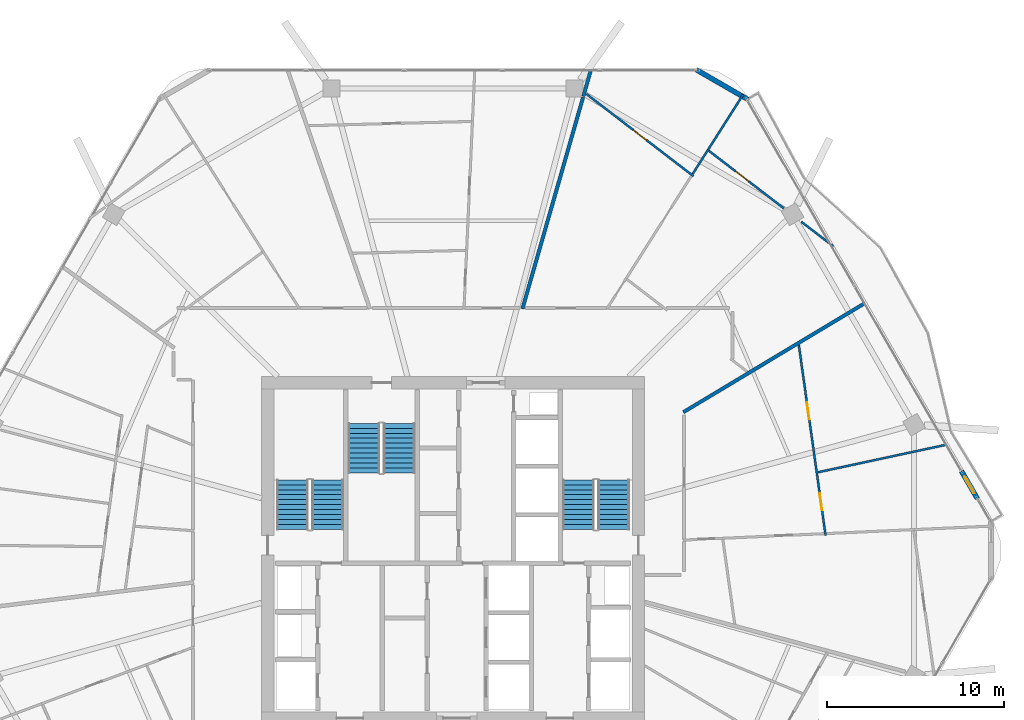
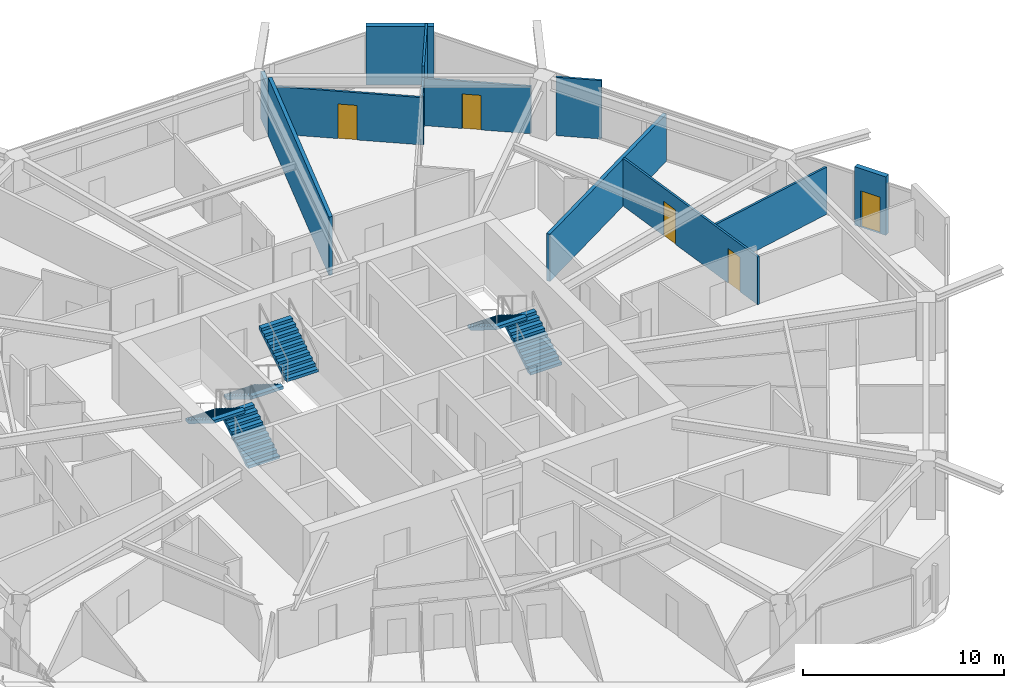
# One storey, part 23 of 26: 12 walls, 6 stair flights, 5 doors, 5 openings, 3 elements without a shape of their own.
"""IFC4 building model written with IfcOpenShell, lengths in metres."""

from ifc_helpers import new_model, si_unit, direction, frame, frame_2d, origin, place, context, subcontext, project, spatial, polyline, rectangle, outline, extrude, material, layer, layer_set, type_object, element, fill, aggregate, save


model = new_model("IFC4")

# Units and contexts
model_context = context("Model", 3, precision=1e-05, world=origin(), true_north=direction((0.0, 1.0)))
body_context = subcontext(model_context, "Body", "Model", "MODEL_VIEW")
ifc_project = project(units=[si_unit("LENGTHUNIT", "METRE"), si_unit("AREAUNIT", "SQUARE_METRE"), si_unit("VOLUMEUNIT", "CUBIC_METRE"), si_unit("PLANEANGLEUNIT", "RADIAN"), si_unit("MASSUNIT", "GRAM", prefix="KILO")], contexts=[model_context])

# Site, building, storey
site_placement = place(None, origin())
site = spatial("IfcSite", under=ifc_project, at=site_placement, CompositionType="ELEMENT")
building_placement = place(site_placement, origin())
building = spatial("IfcBuilding", under=site, at=building_placement, Name="Zuhravey Tower", CompositionType="ELEMENT")
storey_placement = place(building_placement, frame((0.0, 0.0, 203.60009765625)))
storey = spatial("IfcBuildingStorey", under=building, at=storey_placement, Name="L51", CompositionType="ELEMENT", Elevation=203.60009765625)

# Wall
ifc_material_1 = material(Name="Precast concrete C40/50", Category="concrete")
ifc_layer_1 = layer(ifc_material_1, 0.280029296875)
ifc_layer_set_1 = layer_set([ifc_layer_1], Name="Precast concrete C40/50")
wall_type_1 = type_object("IfcWallType", Name="Crown Architectural Wall 280", PredefinedType="SOLIDWALL", material=ifc_layer_set_1)
wall_1_placement = place(storey_placement, frame((49.77880859375, 59.230712890625, 0.0), z_axis=(0.0, 0.0, 1.0), x_axis=(0.866020068361, -0.500009241111, 0.0)))
element("IfcWall", 1, at=wall_1_placement, inside=storey, type_object=wall_type_1, Name="L51 Rounded Corner Closure Wall EW28-10", PredefinedType="SOLIDWALL", context=body_context, shape_type="SweptSolid", body=[
    extrude(rectangle(XDim=3.365234375, YDim=0.280029296875, at=frame_2d((1.6826171875, 0.0))), origin(), (0.0, 0.0, 1.0), 3.5498046875),
])

# Wall, opening, door
wall_2_placement = place(storey_placement, frame((64.7919921875, 36.497314453125, 0.0), z_axis=(0.0, 0.0, 1.0), x_axis=(0.499982180423, -0.866035691677, 0.0)))
wall_2 = element("IfcWall", 2, at=wall_2_placement, inside=storey, type_object=wall_type_1, Name="L51 Face 1 Facade Pier EW28-1", PredefinedType="SOLIDWALL", context=body_context, shape_type="SweptSolid", body=[
    extrude(rectangle(XDim=1.7900390625, YDim=0.280029296875, at=frame_2d((0.89501953125, 0.0))), origin(), (0.0, 0.0, 1.0), 3.5498046875),
])
opening_1_placement = place(wall_2_placement, frame((0.344970703125, 0.0, 0.0)))
opening_1 = element("IfcOpeningElement", 3, at=opening_1_placement, cuts=wall_2, Name="Opening BLD1", PredefinedType="OPENING", context=body_context, shape_type="SweptSolid", body=[
    extrude(rectangle(XDim=1.10009765625, YDim=2.199951171875, at=frame_2d((0.550048828125, 1.10009765625))), frame((0.0, 0.152099609375, 0.0), z_axis=(0.0, -1.0, 0.0), x_axis=(1.0, 0.0, 0.0)), (0.0, 0.0, 1.0), 0.303955078125),
])
ifc_material_2 = material(Name="Thermally broken aluminium and low-E glass", Category="aluminium")
door_type_1 = type_object("IfcDoorType", Name="Balcony & Sky-Tray Glazed Door 1100x2200", OperationType="NOTDEFINED", PredefinedType="DOOR", material=ifc_material_2)
door_1_placement = place(opening_1_placement, frame((1.10009765625, 0.0, 0.0), z_axis=(0.0, 0.0, 1.0), x_axis=(-1.0, 0.0, 0.0)))
door_1 = element("IfcDoor", 4, at=door_1_placement, inside=storey, type_object=door_type_1, Name="L51 Face 1 Wave Balcony Door", OperationType="SINGLE_SWING_RIGHT", OverallHeight=2.199951171875, OverallWidth=1.10009765625, PredefinedType="DOOR", context=body_context, shape_type="SweptSolid", body=[
    extrude(rectangle(XDim=1.10009765625, YDim=2.199951171875, at=frame_2d((0.550048828125, 1.10009765625))), frame((0.0, 0.02490234375, 0.0), z_axis=(0.0, -1.0, 0.0), x_axis=(1.0, 0.0, 0.0)), (0.0, 0.0, 1.0), 0.050048828125),
])
fill(opening_1, door_1)

# Walls
ifc_material_3 = material(Name="Gypsum double-stud party assembly")
ifc_layer_2 = layer(ifc_material_3, 0.199951171875)
ifc_layer_set_2 = layer_set([ifc_layer_2], Name="Gypsum double-stud party assembly")
wall_type_2 = type_object("IfcWallType", Name="Inter-Tenancy Party Wall 200", PredefinedType="PARTITIONING", material=ifc_layer_set_2)
wall_3_placement = place(storey_placement, frame((49.0400390625, 39.835205078125, 0.0), z_axis=(0.0, 0.0, 1.0), x_axis=(0.857165332012, 0.515041351346, 0.0)))
element("IfcWall", 5, at=wall_3_placement, inside=storey, type_object=wall_type_2, Name="L51 IW20 Partition 065", PredefinedType="PARTITIONING", context=body_context, shape_type="SweptSolid", body=[
    extrude(rectangle(XDim=11.974365234375, YDim=0.199951171875, at=frame_2d((5.9873046875, 0.0))), origin(), (0.0, 0.0, 1.0), 2.869873046875),
])
wall_4_placement = place(storey_placement, frame((39.925537109375, 45.68994140625, 0.0), z_axis=(0.0, 0.0, 1.0), x_axis=(0.275636294404, 0.961262000293, 0.0)))
element("IfcWall", 6, at=wall_4_placement, inside=storey, type_object=wall_type_2, Name="L51 IW20 Partition 071", PredefinedType="PARTITIONING", context=body_context, shape_type="SweptSolid", body=[
    extrude(rectangle(XDim=12.47119140625, YDim=0.199951171875, at=frame_2d((6.235595703125, 0.0))), origin(), (0.0, 0.0, 1.0), 3.5498046875),
])
wall_5_placement = place(storey_placement, frame((43.376953125, 57.726806640625, 0.0), z_axis=(0.0, 0.0, 1.0), x_axis=(0.275721302425, 0.961237620669, 0.0)))
element("IfcWall", 7, at=wall_5_placement, inside=storey, type_object=wall_type_2, Name="L51 IW20 Partition 072", PredefinedType="PARTITIONING", context=body_context, shape_type="SweptSolid", body=[
    extrude(rectangle(XDim=1.51513671875, YDim=0.199951171875, at=frame_2d((0.757568359375, 0.0))), origin(), (0.0, 0.0, 1.0), 2.869873046875),
])

# Wall, opening, door
ifc_material_4 = material(Name="Gypsum metal-stud partition")
ifc_layer_3 = layer(ifc_material_4, 0.1201171875)
ifc_layer_set_3 = layer_set([ifc_layer_3], Name="Gypsum metal-stud partition")
wall_type_3 = type_object("IfcWallType", Name="Unit Internal Partition 120", PredefinedType="PARTITIONING", material=ifc_layer_set_3)
wall_6_placement = place(storey_placement, frame((49.608642578125, 53.207763671875, 0.0), z_axis=(0.0, 0.0, 1.0), x_axis=(-0.793348849006, 0.608767282121, 0.0)))
wall_6 = element("IfcWall", 8, at=wall_6_placement, inside=storey, type_object=wall_type_3, Name="L51 IW12 Partition 019", PredefinedType="PARTITIONING", context=body_context, shape_type="SweptSolid", body=[
    extrude(rectangle(XDim=7.6318359375, YDim=0.1201171875, at=frame_2d((3.81591796875, 0.0))), origin(), (0.0, 0.0, 1.0), 2.869873046875),
])
opening_2_placement = place(wall_6_placement, frame((3.3408203125, 0.0, 0.0)))
opening_2 = element("IfcOpeningElement", 9, at=opening_2_placement, cuts=wall_6, Name="Opening IND1", PredefinedType="OPENING", context=body_context, shape_type="SweptSolid", body=[
    extrude(rectangle(XDim=0.949951171875, YDim=2.10009765625, at=frame_2d((0.47509765625, 1.050048828125))), frame((0.0, 0.072021484375, 0.0), z_axis=(0.0, -1.0, 0.0), x_axis=(1.0, 0.0, 0.0)), (0.0, 0.0, 1.0), 0.14404296875),
])
ifc_material_5 = material(Name="Painted engineered timber leaf", Category="wood")
door_type_2 = type_object("IfcDoorType", Name="Internal Room & Bedroom Door 950x2100", OperationType="NOTDEFINED", PredefinedType="DOOR", material=ifc_material_5)
door_2_placement = place(opening_2_placement, frame((0.949951171875, 0.0, 0.0), z_axis=(0.0, 0.0, 1.0), x_axis=(-1.0, 0.0, 0.0)))
door_2 = element("IfcDoor", 10, at=door_2_placement, inside=storey, type_object=door_type_2, Name="Apartment L51-01 Family Study Door", OperationType="SINGLE_SWING_LEFT", OverallHeight=2.10009765625, OverallWidth=0.949951171875, PredefinedType="DOOR", context=body_context, shape_type="SweptSolid", body=[
    extrude(rectangle(XDim=0.949951171875, YDim=2.10009765625, at=frame_2d((0.47509765625, 1.050048828125))), frame((0.0, 0.02490234375, 0.0), z_axis=(0.0, -1.0, 0.0), x_axis=(1.0, 0.0, 0.0)), (0.0, 0.0, 1.0), 0.050048828125),
])
fill(opening_2, door_2)

# Wall
wall_7_placement = place(storey_placement, frame((49.565673828125, 53.326416015625, 0.0), z_axis=(0.0, 0.0, 1.0), x_axis=(0.53659490955, 0.843839974785, 0.0)))
element("IfcWall", 11, at=wall_7_placement, inside=storey, type_object=wall_type_3, Name="L51 IW12 Partition 022", PredefinedType="PARTITIONING", context=body_context, shape_type="SweptSolid", body=[
    extrude(rectangle(XDim=1.6328125, YDim=0.1201171875, at=frame_2d((0.81640625, 0.0))), origin(), (0.0, 0.0, 1.0), 2.869873046875),
])

# Wall, opening, door
wall_8_placement = place(storey_placement, frame((54.73046875, 51.38232421875, 0.0), z_axis=(0.0, 0.0, 1.0), x_axis=(-0.793330324721, 0.60879142231, 0.0)))
wall_8 = element("IfcWall", 12, at=wall_8_placement, inside=storey, type_object=wall_type_3, Name="L51 IW12 Partition 023", PredefinedType="PARTITIONING", context=body_context, shape_type="SweptSolid", body=[
    extrude(rectangle(XDim=5.35400390625, YDim=0.1201171875, at=frame_2d((2.677001953125, 0.0))), origin(), (0.0, 0.0, 1.0), 2.869873046875),
])
opening_3_placement = place(wall_8_placement, frame((2.50634765625, 0.0, 0.0)))
opening_3 = element("IfcOpeningElement", 13, at=opening_3_placement, cuts=wall_8, Name="Opening IND1", PredefinedType="OPENING", context=body_context, shape_type="SweptSolid", body=[
    extrude(rectangle(XDim=0.949951171875, YDim=2.10009765625, at=frame_2d((0.47509765625, 1.050048828125))), frame((0.0, 0.072021484375, 0.0), z_axis=(0.0, -1.0, 0.0), x_axis=(1.0, 0.0, 0.0)), (0.0, 0.0, 1.0), 0.14404296875),
])
door_3_placement = place(opening_3_placement, frame((0.949951171875, 0.0, 0.0), z_axis=(0.0, 0.0, 1.0), x_axis=(-1.0, 0.0, 0.0)))
door_3 = element("IfcDoor", 14, at=door_3_placement, inside=storey, type_object=door_type_2, Name="Apartment L51-01 Bedroom 1 Door", OperationType="SINGLE_SWING_RIGHT", OverallHeight=2.10009765625, OverallWidth=0.949951171875, PredefinedType="DOOR", context=body_context, shape_type="SweptSolid", body=[
    extrude(rectangle(XDim=0.949951171875, YDim=2.10009765625, at=frame_2d((0.47509765625, 1.050048828125))), frame((0.0, 0.02490234375, 0.0), z_axis=(0.0, -1.0, 0.0), x_axis=(1.0, 0.0, 0.0)), (0.0, 0.0, 1.0), 0.050048828125),
])
fill(opening_3, door_3)

# Wall, openings, doors
wall_9_placement = place(storey_placement, frame((57.095458984375, 32.85791015625, 0.0), z_axis=(0.0, 0.0, 1.0), x_axis=(-0.13917519047, 0.990267775078, 0.0)))
wall_9 = element("IfcWall", 15, at=wall_9_placement, inside=storey, type_object=wall_type_3, Name="L51 IW12 Partition 051", PredefinedType="PARTITIONING", context=body_context, shape_type="SweptSolid", body=[
    extrude(rectangle(XDim=10.89697265625, YDim=0.1201171875, at=frame_2d((5.448486328125, 0.0))), origin(), (0.0, 0.0, 1.0), 2.89990234375),
])
opening_4_placement = place(wall_9_placement, frame((1.443115234375, 0.0, 0.0)))
opening_4 = element("IfcOpeningElement", 16, at=opening_4_placement, cuts=wall_9, Name="Opening IND1", PredefinedType="OPENING", context=body_context, shape_type="SweptSolid", body=[
    extrude(rectangle(XDim=0.949951171875, YDim=2.10009765625, at=frame_2d((0.47509765625, 1.050048828125))), frame((0.0, 0.072021484375, 0.0), z_axis=(0.0, -1.0, 0.0), x_axis=(1.0, 0.0, 0.0)), (0.0, 0.0, 1.0), 0.14404296875),
])
opening_5_placement = place(wall_9_placement, frame((6.6513671875, 0.0, 0.0)))
opening_5 = element("IfcOpeningElement", 17, at=opening_5_placement, cuts=wall_9, Name="Opening IND1", PredefinedType="OPENING", context=body_context, shape_type="SweptSolid", body=[
    extrude(rectangle(XDim=0.949951171875, YDim=2.10009765625, at=frame_2d((0.47509765625, 1.050048828125))), frame((0.0, 0.072021484375, 0.0), z_axis=(0.0, -1.0, 0.0), x_axis=(1.0, 0.0, 0.0)), (0.0, 0.0, 1.0), 0.14404296875),
])
door_4_placement = place(opening_4_placement, frame((0.949951171875, 0.0, 0.0), z_axis=(0.0, 0.0, 1.0), x_axis=(-1.0, 0.0, 0.0)))
door_4 = element("IfcDoor", 18, at=door_4_placement, inside=storey, type_object=door_type_2, Name="Apartment L51-09 Family Study Door", OperationType="SINGLE_SWING_LEFT", OverallHeight=2.10009765625, OverallWidth=0.949951171875, PredefinedType="DOOR", context=body_context, shape_type="SweptSolid", body=[
    extrude(rectangle(XDim=0.949951171875, YDim=2.10009765625, at=frame_2d((0.47509765625, 1.050048828125))), frame((0.0, 0.02490234375, 0.0), z_axis=(0.0, -1.0, 0.0), x_axis=(1.0, 0.0, 0.0)), (0.0, 0.0, 1.0), 0.050048828125),
])
fill(opening_4, door_4)
door_5_placement = place(opening_5_placement, frame((0.949951171875, 0.0, 0.0), z_axis=(0.0, 0.0, 1.0), x_axis=(-1.0, 0.0, 0.0)))
door_5 = element("IfcDoor", 19, at=door_5_placement, inside=storey, type_object=door_type_2, Name="Apartment L51-09 Dining Room Door", OperationType="SINGLE_SWING_RIGHT", OverallHeight=2.10009765625, OverallWidth=0.949951171875, PredefinedType="DOOR", context=body_context, shape_type="SweptSolid", body=[
    extrude(rectangle(XDim=0.949951171875, YDim=2.10009765625, at=frame_2d((0.47509765625, 1.050048828125))), frame((0.0, 0.02490234375, 0.0), z_axis=(0.0, -1.0, 0.0), x_axis=(1.0, 0.0, 0.0)), (0.0, 0.0, 1.0), 0.050048828125),
])
fill(opening_5, door_5)

# Walls
wall_10_placement = place(storey_placement, frame((50.44189453125, 54.704345703125, 0.0), z_axis=(0.0, 0.0, 1.0), x_axis=(0.536696164754, 0.84377557842, 0.0)))
element("IfcWall", 20, at=wall_10_placement, inside=storey, type_object=wall_type_3, Name="L51 IW12 Partition 067", PredefinedType="PARTITIONING", context=body_context, shape_type="SweptSolid", body=[
    extrude(rectangle(XDim=3.7001953125, YDim=0.1201171875, at=frame_2d((1.85009765625, 0.0))), origin(), (0.0, 0.0, 1.0), 3.5498046875),
])
wall_11_placement = place(storey_placement, frame((57.531005859375, 49.2333984375, 0.0), z_axis=(0.0, 0.0, 1.0), x_axis=(-0.793327349117, 0.608795299869, 0.0)))
element("IfcWall", 21, at=wall_11_placement, inside=storey, type_object=wall_type_3, Name="L51 IW12 Partition 070", PredefinedType="PARTITIONING", context=body_context, shape_type="SweptSolid", body=[
    extrude(rectangle(XDim=2.2822265625, YDim=0.1201171875, at=frame_2d((1.14111328125, 0.0))), origin(), (0.0, 0.0, 1.0), 3.5498046875),
])
wall_12_placement = place(storey_placement, frame((56.661865234375, 36.432373046875, 0.0), z_axis=(0.0, 0.0, 1.0), x_axis=(0.977753085035, 0.209759158811, 0.0)))
element("IfcWall", 22, at=wall_12_placement, inside=storey, type_object=wall_type_3, Name="L51 IW12 Partition 115", PredefinedType="PARTITIONING", context=body_context, shape_type="SweptSolid", body=[
    extrude(rectangle(XDim=7.464111328125, YDim=0.1201171875, at=frame_2d((3.73193359375, 0.0))), origin(), (0.0, 0.0, 1.0), 2.869873046875),
])

# Stair, stair flights
ifc_material_6 = material(Name="Concrete C40/50", Category="concrete")
stair_type = type_object("IfcStairType", Name="Housing Storey Stair Assembly 3800", PredefinedType="HALF_TURN_STAIR", material=ifc_material_6)
stair_1_placement = place(storey_placement, origin())
stair_1 = element("IfcStair", 23, at=stair_1_placement, inside=storey, type_object=stair_type, Name="L51 Core Exit Stair ST1", PredefinedType="HALF_TURN_STAIR")
stair_flight_type = type_object("IfcStairFlightType", Name="Housing Storey Stair Flight 3800", PredefinedType="STRAIGHT", material=ifc_material_6)
stair_flight_1_placement = place(storey_placement, frame((28.89990234375, 33.199951171875, 0.0), z_axis=(0.0, 0.0, 1.0), x_axis=(0.0, 1.0, 0.0)))
stair_flight_1 = element("IfcStairFlight", 24, at=stair_flight_1_placement, type_object=stair_flight_type, Name="ST1 flight 1", NumberOfRisers=11, NumberOfTreads=10, PredefinedType="STRAIGHT", RiserHeight=0.172727273, TreadLength=0.28, context=body_context, shape_type="SweptSolid", body=[
    extrude(outline(polyline([(0.0, 0.0), (0.0, 0.172607421875), (0.280029296875, 0.172607421875), (0.280029296875, 0.345458984375), (0.56005859375, 0.345458984375), (0.56005859375, 0.51806640625), (0.840087890625, 0.51806640625), (0.840087890625, 0.69091796875), (1.1201171875, 0.69091796875), (1.1201171875, 0.863525390625), (1.39990234375, 0.863525390625), (1.39990234375, 1.036376953125), (1.679931640625, 1.036376953125), (1.679931640625, 1.208984375), (1.9599609375, 1.208984375), (1.9599609375, 1.3818359375), (2.239990234375, 1.3818359375), (2.239990234375, 1.554443359375), (2.52001953125, 1.554443359375), (2.52001953125, 1.727294921875), (2.800048828125, 1.727294921875), (2.800048828125, 1.89990234375), (2.800048828125, 1.551025390625), (0.285400390625, 0.0), (0.0, 0.0)])), frame((0.0, 0.89990234375, 0.0), z_axis=(0.0, -1.0, 0.0), x_axis=(1.0, 0.0, 0.0)), (0.0, 0.0, 1.0), 1.800048828125),
])
stair_flight_2_placement = place(storey_placement, frame((26.89990234375, 36.0, 1.89990234375), z_axis=(0.0, 0.0, 1.0), x_axis=(0.0, -1.0, 0.0)))
stair_flight_2 = element("IfcStairFlight", 25, at=stair_flight_2_placement, type_object=stair_flight_type, Name="ST1 flight 2", NumberOfRisers=11, NumberOfTreads=10, PredefinedType="STRAIGHT", RiserHeight=0.172727273, TreadLength=0.28, context=body_context, shape_type="SweptSolid", body=[
    extrude(outline(polyline([(0.0, 0.0), (0.0, 0.172607421875), (0.280029296875, 0.172607421875), (0.280029296875, 0.345458984375), (0.56005859375, 0.345458984375), (0.56005859375, 0.51806640625), (0.840087890625, 0.51806640625), (0.840087890625, 0.69091796875), (1.1201171875, 0.69091796875), (1.1201171875, 0.863525390625), (1.39990234375, 0.863525390625), (1.39990234375, 1.036376953125), (1.679931640625, 1.036376953125), (1.679931640625, 1.208984375), (1.9599609375, 1.208984375), (1.9599609375, 1.3818359375), (2.239990234375, 1.3818359375), (2.239990234375, 1.554443359375), (2.52001953125, 1.554443359375), (2.52001953125, 1.727294921875), (2.800048828125, 1.727294921875), (2.800048828125, 1.89990234375), (2.800048828125, 1.551025390625), (0.285400390625, 0.0), (0.0, 0.0)])), frame((0.0, 0.89990234375, 0.0), z_axis=(0.0, -1.0, 0.0), x_axis=(1.0, 0.0, 0.0)), (0.0, 0.0, 1.0), 1.800048828125),
])
aggregate(stair_1, [stair_flight_1, stair_flight_2])

stair_2_placement = place(storey_placement, origin())
stair_2 = element("IfcStair", 26, at=stair_2_placement, inside=storey, type_object=stair_type, Name="L51 Core Exit Stair ST2", PredefinedType="HALF_TURN_STAIR")
stair_flight_3_placement = place(storey_placement, frame((45.10009765625, 33.199951171875, 0.0), z_axis=(0.0, 0.0, 1.0), x_axis=(0.0, 1.0, 0.0)))
stair_flight_3 = element("IfcStairFlight", 27, at=stair_flight_3_placement, type_object=stair_flight_type, Name="ST2 flight 1", NumberOfRisers=11, NumberOfTreads=10, PredefinedType="STRAIGHT", RiserHeight=0.172727273, TreadLength=0.28, context=body_context, shape_type="SweptSolid", body=[
    extrude(outline(polyline([(0.0, 0.0), (0.0, 0.172607421875), (0.280029296875, 0.172607421875), (0.280029296875, 0.345458984375), (0.56005859375, 0.345458984375), (0.56005859375, 0.51806640625), (0.840087890625, 0.51806640625), (0.840087890625, 0.69091796875), (1.1201171875, 0.69091796875), (1.1201171875, 0.863525390625), (1.39990234375, 0.863525390625), (1.39990234375, 1.036376953125), (1.679931640625, 1.036376953125), (1.679931640625, 1.208984375), (1.9599609375, 1.208984375), (1.9599609375, 1.3818359375), (2.239990234375, 1.3818359375), (2.239990234375, 1.554443359375), (2.52001953125, 1.554443359375), (2.52001953125, 1.727294921875), (2.800048828125, 1.727294921875), (2.800048828125, 1.89990234375), (2.800048828125, 1.551025390625), (0.285400390625, 0.0), (0.0, 0.0)])), frame((0.0, 0.89990234375, 0.0), z_axis=(0.0, -1.0, 0.0), x_axis=(1.0, 0.0, 0.0)), (0.0, 0.0, 1.0), 1.800048828125),
])
stair_flight_4_placement = place(storey_placement, frame((43.10009765625, 36.0, 1.89990234375), z_axis=(0.0, 0.0, 1.0), x_axis=(0.0, -1.0, 0.0)))
stair_flight_4 = element("IfcStairFlight", 28, at=stair_flight_4_placement, type_object=stair_flight_type, Name="ST2 flight 2", NumberOfRisers=11, NumberOfTreads=10, PredefinedType="STRAIGHT", RiserHeight=0.172727273, TreadLength=0.28, context=body_context, shape_type="SweptSolid", body=[
    extrude(outline(polyline([(0.0, 0.0), (0.0, 0.172607421875), (0.280029296875, 0.172607421875), (0.280029296875, 0.345458984375), (0.56005859375, 0.345458984375), (0.56005859375, 0.51806640625), (0.840087890625, 0.51806640625), (0.840087890625, 0.69091796875), (1.1201171875, 0.69091796875), (1.1201171875, 0.863525390625), (1.39990234375, 0.863525390625), (1.39990234375, 1.036376953125), (1.679931640625, 1.036376953125), (1.679931640625, 1.208984375), (1.9599609375, 1.208984375), (1.9599609375, 1.3818359375), (2.239990234375, 1.3818359375), (2.239990234375, 1.554443359375), (2.52001953125, 1.554443359375), (2.52001953125, 1.727294921875), (2.800048828125, 1.727294921875), (2.800048828125, 1.89990234375), (2.800048828125, 1.551025390625), (0.285400390625, 0.0), (0.0, 0.0)])), frame((0.0, 0.89990234375, 0.0), z_axis=(0.0, -1.0, 0.0), x_axis=(1.0, 0.0, 0.0)), (0.0, 0.0, 1.0), 1.800048828125),
])
aggregate(stair_2, [stair_flight_3, stair_flight_4])

stair_3_placement = place(storey_placement, origin())
stair_3 = element("IfcStair", 29, at=stair_3_placement, inside=storey, type_object=stair_type, Name="L51 Core Exit Stair ST3", PredefinedType="HALF_TURN_STAIR")
stair_flight_5_placement = place(storey_placement, frame((30.949951171875, 39.199951171875, 0.0), z_axis=(0.0, 0.0, 1.0), x_axis=(0.0, -1.0, 0.0)))
stair_flight_5 = element("IfcStairFlight", 30, at=stair_flight_5_placement, type_object=stair_flight_type, Name="ST3 flight 1", NumberOfRisers=11, NumberOfTreads=10, PredefinedType="STRAIGHT", RiserHeight=0.172727273, TreadLength=0.28, context=body_context, shape_type="SweptSolid", body=[
    extrude(outline(polyline([(0.0, 0.0), (0.0, 0.172607421875), (0.280029296875, 0.172607421875), (0.280029296875, 0.345458984375), (0.56005859375, 0.345458984375), (0.56005859375, 0.51806640625), (0.840087890625, 0.51806640625), (0.840087890625, 0.69091796875), (1.1201171875, 0.69091796875), (1.1201171875, 0.863525390625), (1.39990234375, 0.863525390625), (1.39990234375, 1.036376953125), (1.679931640625, 1.036376953125), (1.679931640625, 1.208984375), (1.9599609375, 1.208984375), (1.9599609375, 1.3818359375), (2.239990234375, 1.3818359375), (2.239990234375, 1.554443359375), (2.52001953125, 1.554443359375), (2.52001953125, 1.727294921875), (2.800048828125, 1.727294921875), (2.800048828125, 1.89990234375), (2.800048828125, 1.551025390625), (0.285400390625, 0.0), (0.0, 0.0)])), frame((0.0, 0.89990234375, 0.0), z_axis=(0.0, -1.0, 0.0), x_axis=(1.0, 0.0, 0.0)), (0.0, 0.0, 1.0), 1.800048828125),
])
stair_flight_6_placement = place(storey_placement, frame((32.949951171875, 36.39990234375, 1.89990234375), z_axis=(0.0, 0.0, 1.0), x_axis=(0.0, 1.0, 0.0)))
stair_flight_6 = element("IfcStairFlight", 31, at=stair_flight_6_placement, type_object=stair_flight_type, Name="ST3 flight 2", NumberOfRisers=11, NumberOfTreads=10, PredefinedType="STRAIGHT", RiserHeight=0.172727273, TreadLength=0.28, context=body_context, shape_type="SweptSolid", body=[
    extrude(outline(polyline([(0.0, 0.0), (0.0, 0.172607421875), (0.280029296875, 0.172607421875), (0.280029296875, 0.345458984375), (0.56005859375, 0.345458984375), (0.56005859375, 0.51806640625), (0.840087890625, 0.51806640625), (0.840087890625, 0.69091796875), (1.1201171875, 0.69091796875), (1.1201171875, 0.863525390625), (1.39990234375, 0.863525390625), (1.39990234375, 1.036376953125), (1.679931640625, 1.036376953125), (1.679931640625, 1.208984375), (1.9599609375, 1.208984375), (1.9599609375, 1.3818359375), (2.239990234375, 1.3818359375), (2.239990234375, 1.554443359375), (2.52001953125, 1.554443359375), (2.52001953125, 1.727294921875), (2.800048828125, 1.727294921875), (2.800048828125, 1.89990234375), (2.800048828125, 1.551025390625), (0.285400390625, 0.0), (0.0, 0.0)])), frame((0.0, 0.89990234375, 0.0), z_axis=(0.0, -1.0, 0.0), x_axis=(1.0, 0.0, 0.0)), (0.0, 0.0, 1.0), 1.800048828125),
])
aggregate(stair_3, [stair_flight_5, stair_flight_6])

save(model, "model.ifc")
